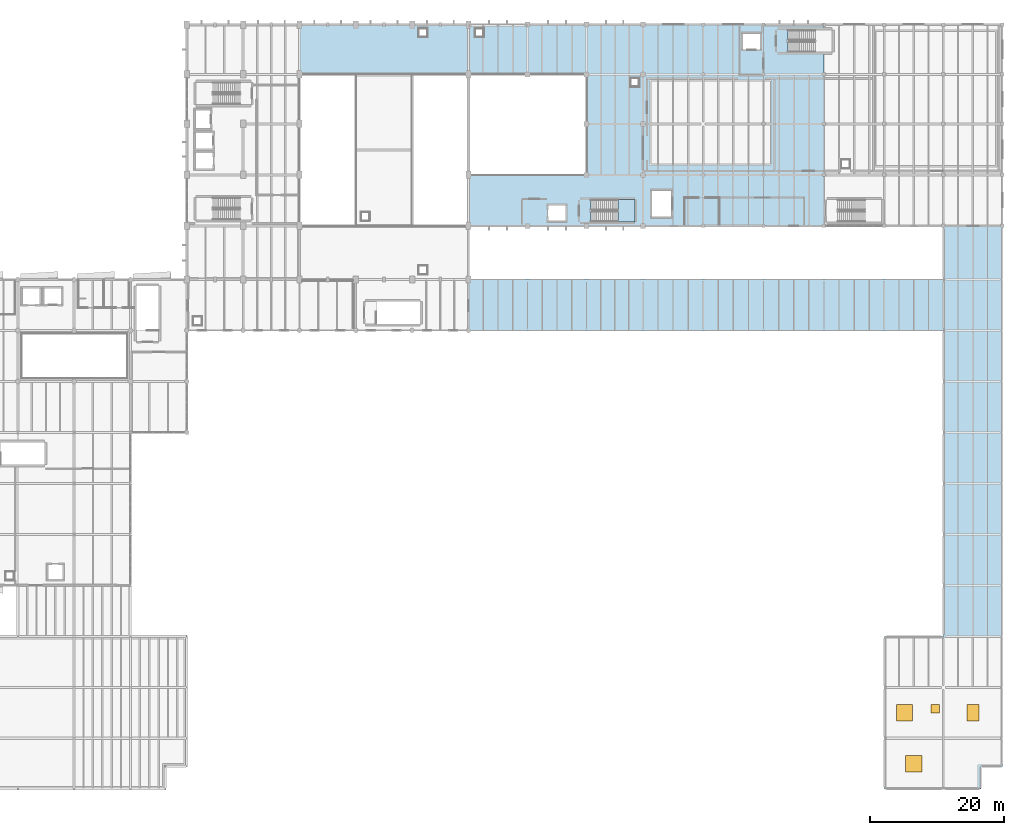
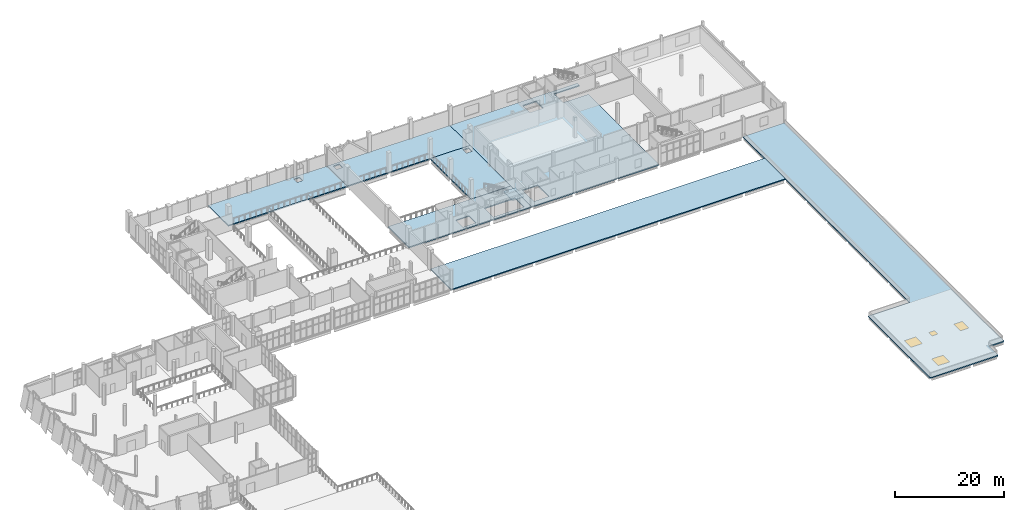
# One storey, part 53 of 74: 8 slabs, 4 windows, 4 openings, 1 element without a shape of its own.
"""IFC4 building model written with IfcOpenShell, lengths in metres."""

from ifc_helpers import new_model, si_unit, direction, frame, origin, origin_2d, place, context, subcontext, project, spatial, polyline, rectangle, outline, extrude, material, layer, layer_set, type_object, element, fill, aggregate, save


model = new_model("IFC4")

# Units and contexts
model_context = context("Model", 3, precision=1e-05, world=origin(), true_north=direction((0.0, 1.0)))
body_context = subcontext(model_context, "Body", "Model", "MODEL_VIEW")
ifc_project = project(units=[si_unit("LENGTHUNIT", "METRE"), si_unit("AREAUNIT", "SQUARE_METRE"), si_unit("VOLUMEUNIT", "CUBIC_METRE"), si_unit("PLANEANGLEUNIT", "RADIAN"), si_unit("MASSUNIT", "GRAM", prefix="KILO")], contexts=[model_context])

# Site, building, storey
site_placement = place(None, origin())
site = spatial("IfcSite", under=ifc_project, at=site_placement, CompositionType="ELEMENT")
building_placement = place(site_placement, origin())
building = spatial("IfcBuilding", under=site, at=building_placement, Name="Shengluoqiao Park Theatre", CompositionType="ELEMENT")
storey_placement = place(building_placement, frame((0.0, 0.0, 14.60009765625)))
storey = spatial("IfcBuildingStorey", under=building, at=storey_placement, Name="L03", CompositionType="ELEMENT", Elevation=14.60009765625)

# Stair, slab
ifc_material_1 = material(Name="Concrete C40", Category="concrete")
stair_type = type_object("IfcStairType", Name="INT-STR-CORE", PredefinedType="HALF_TURN_STAIR", material=ifc_material_1)
stair_placement = place(storey_placement, origin())
stair = element("IfcStair", 1, at=stair_placement, inside=storey, type_object=stair_type, Name="L03 Stage and Fly Tower Escape Stair 05", PredefinedType="HALF_TURN_STAIR")
ifc_layer_1 = layer(ifc_material_1, 0.199951171875, Name="Concrete C40")
ifc_layer_set_1 = layer_set([ifc_layer_1], Name="Concrete C40")
slab_type_1 = type_object("IfcSlabType", Name="INT-LND-SL-200", PredefinedType="LANDING", material=ifc_layer_set_1)
slab_1_placement = place(storey_placement, frame((0.0, 0.0, 2.099853515625)))
slab_1 = element("IfcSlab", 2, at=slab_1_placement, type_object=slab_type_1, Name="ST-05 landing 1", PredefinedType="LANDING", context=body_context, shape_type="SweptSolid", body=[
    extrude(outline(polyline([(108.7099609375, 84.60009765625), (111.199951171875, 84.60009765625), (111.199951171875, 87.89990234375), (108.7099609375, 87.89990234375), (108.7099609375, 84.60009765625)])), origin(), (0.0, 0.0, 1.0), 0.199951171875),
])
aggregate(stair, [slab_1])

# Slabs
ifc_material_2 = material(Name="Concrete C35", Category="concrete")
ifc_layer_2 = layer(ifc_material_2, 0.25, Name="Concrete C35")
ifc_layer_set_2 = layer_set([ifc_layer_2], Name="Concrete C35")
slab_type_2 = type_object("IfcSlabType", Name="STR-SLB-CAT250", PredefinedType="FLOOR", material=ifc_layer_set_2)
slab_2_placement = place(storey_placement, frame((0.0, 0.0, -0.25)))
element("IfcSlab", 3, at=slab_2_placement, inside=storey, type_object=slab_type_2, Name="Floor Slab L03-V1-BOXN", PredefinedType="FLOOR", context=body_context, shape_type="SweptSolid", body=[
    extrude(outline(polyline([(61.199951171875, 106.60009765625), (61.199951171875, 114.0), (86.39990234375, 114.0), (86.39990234375, 106.60009765625), (61.199951171875, 106.60009765625)]), holes=[polyline([(80.219970703125, 112.199951171875), (80.219970703125, 113.419921875), (79.0, 113.419921875), (79.0, 112.199951171875), (80.219970703125, 112.199951171875)])]), origin(), (0.0, 0.0, 1.0), 0.25),
])
ifc_material_3 = material(Name="Precast concrete C45", Category="concrete")
ifc_layer_3 = layer(ifc_material_3, 0.22998046875, Name="Precast concrete C45")
ifc_layer_set_3 = layer_set([ifc_layer_3], Name="Precast concrete C45")
slab_type_3 = type_object("IfcSlabType", Name="STR-SLB-CR230", PredefinedType="ROOF", material=ifc_layer_set_3)
slab_3_placement = place(storey_placement, frame((0.0, 0.0, -0.22998046875)))
element("IfcSlab", 4, at=slab_3_placement, inside=storey, type_object=slab_type_3, Name="Park-Court Link Bridge 1 Roof Slab", PredefinedType="ROOF", context=body_context, shape_type="SweptSolid", body=[
    extrude(outline(polyline([(86.39990234375, 68.39990234375), (157.199951171875, 68.39990234375), (157.199951171875, 76.0), (86.39990234375, 76.0), (86.39990234375, 68.39990234375)])), origin(), (0.0, 0.0, 1.0), 0.22998046875),
])
ifc_layer_4 = layer(ifc_material_2, 0.239990234375, Name="Concrete C35")
ifc_layer_set_4 = layer_set([ifc_layer_4], Name="Concrete C35")
slab_type_4 = type_object("IfcSlabType", Name="STR-SLB-FL240", PredefinedType="FLOOR", material=ifc_layer_set_4)
slab_4_placement = place(storey_placement, frame((0.0, 0.0, -0.239990234375)))
element("IfcSlab", 5, at=slab_4_placement, inside=storey, type_object=slab_type_4, Name="Floor Slab L03-V2-FLYS", PredefinedType="FLOOR", context=body_context, shape_type="SweptSolid", body=[
    extrude(outline(polyline([(86.39990234375, 84.0), (86.39990234375, 91.60009765625), (112.39990234375, 91.60009765625), (112.39990234375, 84.0), (86.39990234375, 84.0)]), holes=[polyline([(101.0, 87.199951171875), (98.199951171875, 87.199951171875), (98.199951171875, 84.60009765625), (101.0, 84.60009765625), (101.0, 87.199951171875)]), polyline([(104.654052734375, 84.60009765625), (111.199951171875, 84.60009765625), (111.199951171875, 87.89990234375), (104.654052734375, 87.89990234375), (104.654052734375, 84.60009765625)])]), origin(), (0.0, 0.0, 1.0), 0.239990234375),
])
slab_5_placement = place(storey_placement, frame((0.0, 0.0, -0.239990234375)))
element("IfcSlab", 6, at=slab_5_placement, inside=storey, type_object=slab_type_4, Name="Floor Slab L03-V2-FLYN", PredefinedType="FLOOR", context=body_context, shape_type="SweptSolid", body=[
    extrude(outline(polyline([(86.39990234375, 106.60009765625), (86.39990234375, 114.0), (112.39990234375, 114.0), (112.39990234375, 106.60009765625), (86.39990234375, 106.60009765625)]), holes=[polyline([(88.6201171875, 112.199951171875), (88.6201171875, 113.419921875), (87.39990234375, 113.419921875), (87.39990234375, 112.199951171875), (88.6201171875, 112.199951171875)])]), origin(), (0.0, 0.0, 1.0), 0.239990234375),
])
slab_6_placement = place(storey_placement, frame((0.0, 0.0, -0.239990234375)))
element("IfcSlab", 7, at=slab_6_placement, inside=storey, type_object=slab_type_4, Name="Floor Slab L03-V2-FLYE", PredefinedType="FLOOR", context=body_context, shape_type="SweptSolid", body=[
    extrude(outline(polyline([(104.0, 91.60009765625), (104.0, 106.60009765625), (112.39990234375, 106.60009765625), (112.39990234375, 91.60009765625), (104.0, 91.60009765625)]), holes=[polyline([(111.820068359375, 104.800048828125), (111.820068359375, 106.02001953125), (110.60009765625, 106.02001953125), (110.60009765625, 104.800048828125), (111.820068359375, 104.800048828125)])]), origin(), (0.0, 0.0, 1.0), 0.239990234375),
])
slab_7_placement = place(storey_placement, frame((0.0, 0.0, -0.239990234375)))
element("IfcSlab", 8, at=slab_7_placement, inside=storey, type_object=slab_type_4, Name="Floor Slab L03-V6-NE1", PredefinedType="FLOOR", context=body_context, shape_type="SweptSolid", body=[
    extrude(outline(polyline([(139.39990234375, 84.0), (112.39990234375, 84.0), (112.39990234375, 114.0), (139.39990234375, 114.0), (139.39990234375, 113.199951171875), (134.053955078125, 113.199951171875), (134.053955078125, 109.89990234375), (139.39990234375, 109.89990234375), (139.39990234375, 84.0)]), holes=[polyline([(116.800048828125, 89.39990234375), (113.60009765625, 89.39990234375), (113.60009765625, 85.199951171875), (116.800048828125, 85.199951171875), (116.800048828125, 89.39990234375)]), polyline([(130.0, 110.199951171875), (130.0, 112.800048828125), (127.199951171875, 112.800048828125), (127.199951171875, 110.199951171875), (130.0, 110.199951171875)])]), origin(), (0.0, 0.0, 1.0), 0.239990234375),
])

# Slab, openings, windows
ifc_layer_5 = layer(ifc_material_1, 0.25, Name="Concrete C40")
ifc_layer_set_5 = layer_set([ifc_layer_5], Name="Concrete C40")
slab_type_5 = type_object("IfcSlabType", Name="STR-SLB-RF250", PredefinedType="ROOF", material=ifc_layer_set_5)
slab_8_placement = place(storey_placement, frame((0.0, 0.0, -0.25)))
slab_8 = element("IfcSlab", 9, at=slab_8_placement, inside=storey, type_object=slab_type_5, Name="V6 East Wing Flat Roof Slab", PredefinedType="ROOF", context=body_context, shape_type="SweptSolid", body=[
    extrude(outline(polyline([(148.39990234375, 0.0), (162.800048828125, 0.0), (162.800048828125, 3.39990234375), (166.0, 3.39990234375), (166.0, 84.0), (157.199951171875, 84.0), (157.199951171875, 22.800048828125), (148.39990234375, 22.800048828125), (148.39990234375, 0.0)])), origin(), (0.0, 0.0, 1.0), 0.25),
])
opening_1_placement = place(slab_8_placement, frame((152.800048828125, 3.800048828125, 0.0)))
opening_1 = element("IfcOpeningElement", 10, at=opening_1_placement, cuts=slab_8, Name="Opening SK-01", PredefinedType="OPENING", context=body_context, shape_type="SweptSolid", body=[
    extrude(rectangle(XDim=2.39990234375, YDim=2.39990234375, at=origin_2d()), origin(), (0.0, 0.0, 1.0), 0.25),
])
opening_2_placement = place(slab_8_placement, frame((151.39990234375, 11.39990234375, 0.0)))
opening_2 = element("IfcOpeningElement", 11, at=opening_2_placement, cuts=slab_8, Name="Opening SK-01", PredefinedType="OPENING", context=body_context, shape_type="SweptSolid", body=[
    extrude(rectangle(XDim=2.39990234375, YDim=2.39990234375, at=origin_2d()), origin(), (0.0, 0.0, 1.0), 0.25),
])
opening_3_placement = place(slab_8_placement, frame((161.60009765625, 11.39990234375, 0.0)))
opening_3 = element("IfcOpeningElement", 12, at=opening_3_placement, cuts=slab_8, Name="Opening SK-02", PredefinedType="OPENING", context=body_context, shape_type="SweptSolid", body=[
    extrude(rectangle(XDim=1.800048828125, YDim=2.39990234375, at=origin_2d()), origin(), (0.0, 0.0, 1.0), 0.25),
])
opening_4_placement = place(slab_8_placement, frame((156.0, 12.0, 0.0)))
opening_4 = element("IfcOpeningElement", 13, at=opening_4_placement, cuts=slab_8, Name="Opening SK-04", PredefinedType="OPENING", context=body_context, shape_type="SweptSolid", body=[
    extrude(rectangle(XDim=1.199951171875, YDim=1.199951171875, at=origin_2d()), origin(), (0.0, 0.0, 1.0), 0.25),
])
ifc_material_4 = material(Name="Insulated glass", Category="glass")
window_type_1 = type_object("IfcWindowType", Name="ENV-SKL-S01", PartitioningType="SINGLE_PANEL", PredefinedType="SKYLIGHT", material=ifc_material_4)
window_1_placement = place(opening_1_placement, frame((0.0, 0.0, 0.199951171875)))
window_1 = element("IfcWindow", 14, at=window_1_placement, inside=storey, type_object=window_type_1, Name="L03 Roof Daylight Skylight 01", OverallHeight=2.39990234375, OverallWidth=2.39990234375, PartitioningType="SINGLE_PANEL", PredefinedType="SKYLIGHT", context=body_context, shape_type="SweptSolid", body=[
    extrude(rectangle(XDim=2.39990234375, YDim=2.39990234375, at=origin_2d()), origin(), (0.0, 0.0, 1.0), 0.050048828125),
])
fill(opening_1, window_1)
window_2_placement = place(opening_2_placement, frame((0.0, 0.0, 0.199951171875)))
window_2 = element("IfcWindow", 15, at=window_2_placement, inside=storey, type_object=window_type_1, Name="L03 Roof Daylight Skylight 02", OverallHeight=2.39990234375, OverallWidth=2.39990234375, PartitioningType="SINGLE_PANEL", PredefinedType="SKYLIGHT", context=body_context, shape_type="SweptSolid", body=[
    extrude(rectangle(XDim=2.39990234375, YDim=2.39990234375, at=origin_2d()), origin(), (0.0, 0.0, 1.0), 0.050048828125),
])
fill(opening_2, window_2)
window_type_2 = type_object("IfcWindowType", Name="ENV-SKL-S02", PartitioningType="SINGLE_PANEL", PredefinedType="SKYLIGHT", material=ifc_material_4)
window_3_placement = place(opening_3_placement, frame((0.0, 0.0, 0.199951171875)))
window_3 = element("IfcWindow", 16, at=window_3_placement, inside=storey, type_object=window_type_2, Name="L03 Roof Daylight Skylight 03", OverallHeight=2.39990234375, OverallWidth=1.800048828125, PartitioningType="SINGLE_PANEL", PredefinedType="SKYLIGHT", context=body_context, shape_type="SweptSolid", body=[
    extrude(rectangle(XDim=1.800048828125, YDim=2.39990234375, at=origin_2d()), origin(), (0.0, 0.0, 1.0), 0.050048828125),
])
fill(opening_3, window_3)
window_type_3 = type_object("IfcWindowType", Name="ENV-SKL-S04", PartitioningType="SINGLE_PANEL", PredefinedType="SKYLIGHT", material=ifc_material_4)
window_4_placement = place(opening_4_placement, frame((0.0, 0.0, 0.199951171875)))
window_4 = element("IfcWindow", 17, at=window_4_placement, inside=storey, type_object=window_type_3, Name="L03 Roof Daylight Skylight 06", OverallHeight=1.199951171875, OverallWidth=1.199951171875, PartitioningType="SINGLE_PANEL", PredefinedType="SKYLIGHT", context=body_context, shape_type="SweptSolid", body=[
    extrude(rectangle(XDim=1.199951171875, YDim=1.199951171875, at=origin_2d()), origin(), (0.0, 0.0, 1.0), 0.050048828125),
])
fill(opening_4, window_4)

save(model, "model.ifc")
